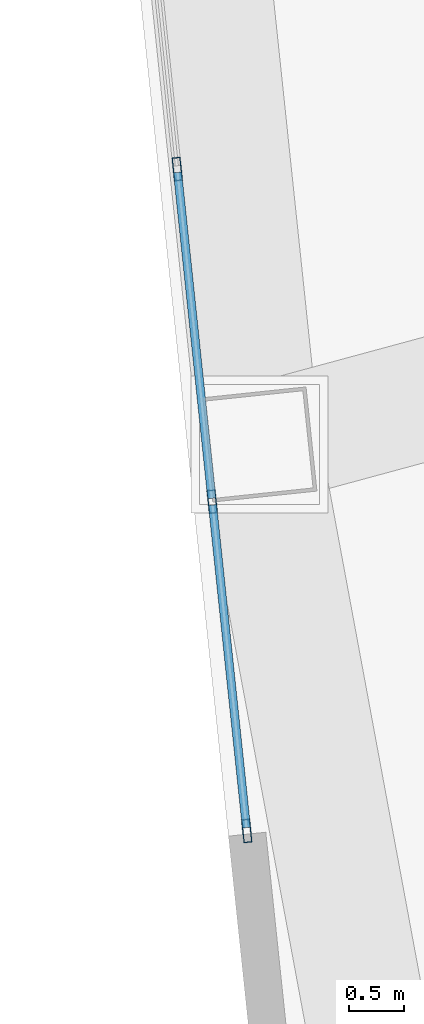
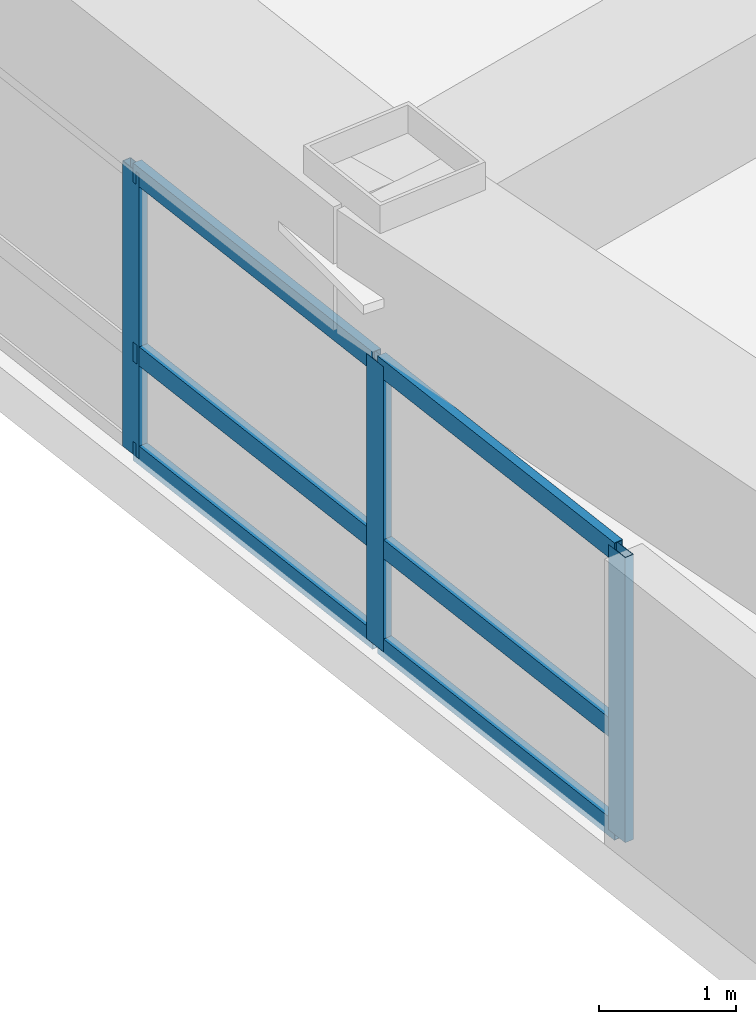
# One storey, part 2 of 15: 9 members, 1 element without a shape of its own.
"""IFC4 building model written with IfcOpenShell, lengths in metres."""

from ifc_helpers import new_model, si_unit, direction, frame, origin, origin_2d, place, context, subcontext, project, spatial, hollow_rectangle, extrude, material, layer, layer_set, material_profile, profile_set, type_object, element, aggregate, save


model = new_model("IFC4")

# Units and contexts
model_context = context("Model", 3, precision=1e-05, world=origin(), true_north=direction((0.0, 1.0)))
body_context = subcontext(model_context, "Body", "Model", "MODEL_VIEW")
ifc_project = project(units=[si_unit("LENGTHUNIT", "METRE"), si_unit("AREAUNIT", "SQUARE_METRE"), si_unit("VOLUMEUNIT", "CUBIC_METRE"), si_unit("PLANEANGLEUNIT", "RADIAN"), si_unit("MASSUNIT", "GRAM", prefix="KILO")], contexts=[model_context])

# Site, building, storey
site_placement = place(None, origin())
site = spatial("IfcSite", under=ifc_project, at=site_placement, CompositionType="ELEMENT")
building_placement = place(site_placement, origin())
building = spatial("IfcBuilding", under=site, at=building_placement, Name="Voryun Gate Residences", CompositionType="ELEMENT")
storey_placement = place(building_placement, frame((0.0, 0.0, 140.39990234375)))
storey = spatial("IfcBuildingStorey", under=building, at=storey_placement, Name="L34", CompositionType="ELEMENT", Elevation=140.39990234375)

# Curtain wall, members
ifc_material_1 = material(Name="Anodised aluminium", Category="aluminium")
ifc_layer = layer(ifc_material_1, 0.2099609375, Name="CW_SYS_SKYGARDEN_DARK_GLASS")
ifc_layer_set = layer_set([ifc_layer], Name="Anodised aluminium")
curtain_wall_type = type_object("IfcCurtainWallType", Name="CW_SYS_SKYGARDEN_DARK_GLASS", PredefinedType="NOTDEFINED", material=ifc_layer_set)
curtain_wall_placement = place(storey_placement, origin())
curtain_wall = element("IfcCurtainWall", 1, at=curtain_wall_placement, inside=storey, type_object=curtain_wall_type, Name="Curtain wall CW5-L34-SG-06", PredefinedType="NOTDEFINED")
ifc_material_2 = material(Name="Anodised aluminium", Category="aluminium")
ifc_material_profile_1 = material_profile(ifc_material_2, hollow_rectangle(XDim=0.074951171875, YDim=0.2099609375, WallThickness=0.0048828125, at=origin_2d()), Name="ALU-MULL-210x75x5")
ifc_profile_set_1 = profile_set([ifc_material_profile_1], Name="Anodised aluminium")
member_type_1 = type_object("IfcMemberType", Name="CW_MULL_SKY", PredefinedType="MULLION", material=ifc_profile_set_1)
member_1_placement = place(storey_placement, frame((-31.5615234375, -14.222412109375, 0.0), z_axis=(0.0, 0.0, 1.0), x_axis=(-0.994521755433, -0.104529794654, 0.0)))
member_1 = element("IfcMember", 2, at=member_1_placement, type_object=member_type_1, Name="CW5 mullion 1", PredefinedType="MULLION", context=body_context, shape_type="SweptSolid", body=[
    extrude(hollow_rectangle(XDim=0.074951171875, YDim=0.2099609375, WallThickness=0.0048828125, at=origin_2d()), origin(), (0.0, 0.0, 1.0), 2.5400390625),
])
member_2_placement = place(storey_placement, frame((-31.875244140625, -11.236572265625, 0.0), z_axis=(0.0, 0.0, 1.0), x_axis=(-0.994521755433, -0.104529794654, 0.0)))
member_2 = element("IfcMember", 3, at=member_2_placement, type_object=member_type_1, Name="CW5 mullion 2", PredefinedType="MULLION", context=body_context, shape_type="SweptSolid", body=[
    extrude(hollow_rectangle(XDim=0.074951171875, YDim=0.2099609375, WallThickness=0.0048828125, at=origin_2d()), origin(), (0.0, 0.0, 1.0), 2.5400390625),
])
member_3_placement = place(storey_placement, frame((-32.192138671875, -8.220703125, 0.0), z_axis=(0.0, 0.0, 1.0), x_axis=(-0.994521755433, -0.104529794654, 0.0)))
member_3 = element("IfcMember", 4, at=member_3_placement, type_object=member_type_1, Name="CW5 mullion 3", PredefinedType="MULLION", context=body_context, shape_type="SweptSolid", body=[
    extrude(hollow_rectangle(XDim=0.074951171875, YDim=0.2099609375, WallThickness=0.0048828125, at=origin_2d()), origin(), (0.0, 0.0, 1.0), 2.5400390625),
])
ifc_material_3 = material(Name="Anodised aluminium", Category="aluminium")
ifc_material_profile_2 = material_profile(ifc_material_3, hollow_rectangle(XDim=0.074951171875, YDim=0.169921875, WallThickness=0.0048828125, at=origin_2d()), Name="ALU-TRAN-170x75x5")
ifc_profile_set_2 = profile_set([ifc_material_profile_2], Name="Anodised aluminium")
member_type_2 = type_object("IfcMemberType", Name="CW_TRAN_SKY", PredefinedType="USERDEFINED", material=ifc_profile_set_2)
member_4_placement = place(storey_placement, frame((-31.564453125, -14.192626953125, 0.030029296875), z_axis=(-0.104546570168, 0.99451999209, 0.0), x_axis=(-0.99451999209, -0.104546570168, 0.0)))
member_4 = element("IfcMember", 5, at=member_4_placement, type_object=member_type_2, Name="CW5 transom 1.1", ObjectType="TRANSOM", PredefinedType="USERDEFINED", context=body_context, shape_type="SweptSolid", body=[
    extrude(hollow_rectangle(XDim=0.074951171875, YDim=0.169921875, WallThickness=0.0048828125, at=origin_2d()), origin(), (0.0, 0.0, 1.0), 2.9423828125),
])
member_5_placement = place(storey_placement, frame((-31.564453125, -14.192626953125, 0.91455078125), z_axis=(-0.104546570168, 0.99451999209, 0.0), x_axis=(-0.99451999209, -0.104546570168, 0.0)))
member_5 = element("IfcMember", 6, at=member_5_placement, type_object=member_type_2, Name="CW5 transom 1.2", ObjectType="TRANSOM", PredefinedType="USERDEFINED", context=body_context, shape_type="SweptSolid", body=[
    extrude(hollow_rectangle(XDim=0.074951171875, YDim=0.169921875, WallThickness=0.0048828125, at=origin_2d()), origin(), (0.0, 0.0, 1.0), 2.9423828125),
])
member_6_placement = place(storey_placement, frame((-31.564453125, -14.192626953125, 2.510009765625), z_axis=(-0.104546570168, 0.99451999209, 0.0), x_axis=(-0.99451999209, -0.104546570168, 0.0)))
member_6 = element("IfcMember", 7, at=member_6_placement, type_object=member_type_2, Name="CW5 transom 1.3", ObjectType="TRANSOM", PredefinedType="USERDEFINED", context=body_context, shape_type="SweptSolid", body=[
    extrude(hollow_rectangle(XDim=0.074951171875, YDim=0.169921875, WallThickness=0.0048828125, at=origin_2d()), origin(), (0.0, 0.0, 1.0), 2.9423828125),
])
member_7_placement = place(storey_placement, frame((-31.87841796875, -11.206787109375, 0.030029296875), z_axis=(-0.104560790128, 0.994518497147, 0.0), x_axis=(-0.994518497147, -0.104560790128, 0.0)))
member_7 = element("IfcMember", 8, at=member_7_placement, type_object=member_type_2, Name="CW5 transom 2.1", ObjectType="TRANSOM", PredefinedType="USERDEFINED", context=body_context, shape_type="SweptSolid", body=[
    extrude(hollow_rectangle(XDim=0.074951171875, YDim=0.169921875, WallThickness=0.0048828125, at=origin_2d()), origin(), (0.0, 0.0, 1.0), 2.972412109375),
])
member_8_placement = place(storey_placement, frame((-31.87841796875, -11.206787109375, 0.91455078125), z_axis=(-0.104560790128, 0.994518497147, 0.0), x_axis=(-0.994518497147, -0.104560790128, 0.0)))
member_8 = element("IfcMember", 9, at=member_8_placement, type_object=member_type_2, Name="CW5 transom 2.2", ObjectType="TRANSOM", PredefinedType="USERDEFINED", context=body_context, shape_type="SweptSolid", body=[
    extrude(hollow_rectangle(XDim=0.074951171875, YDim=0.169921875, WallThickness=0.0048828125, at=origin_2d()), origin(), (0.0, 0.0, 1.0), 2.972412109375),
])
member_9_placement = place(storey_placement, frame((-31.87841796875, -11.206787109375, 2.510009765625), z_axis=(-0.104560790128, 0.994518497147, 0.0), x_axis=(-0.994518497147, -0.104560790128, 0.0)))
member_9 = element("IfcMember", 10, at=member_9_placement, type_object=member_type_2, Name="CW5 transom 2.3", ObjectType="TRANSOM", PredefinedType="USERDEFINED", context=body_context, shape_type="SweptSolid", body=[
    extrude(hollow_rectangle(XDim=0.074951171875, YDim=0.169921875, WallThickness=0.0048828125, at=origin_2d()), origin(), (0.0, 0.0, 1.0), 2.972412109375),
])
aggregate(curtain_wall, [member_1, member_2, member_3, member_4, member_5, member_6, member_7, member_8, member_9])

save(model, "model.ifc")
